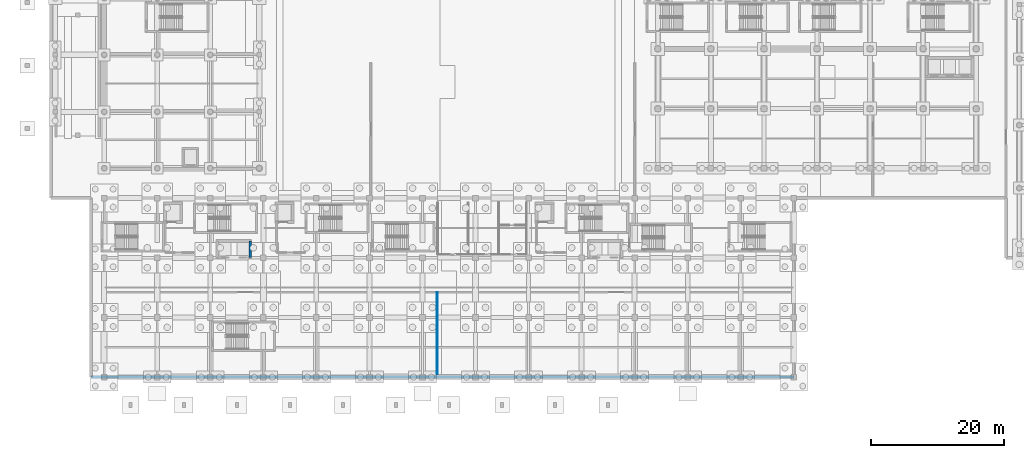
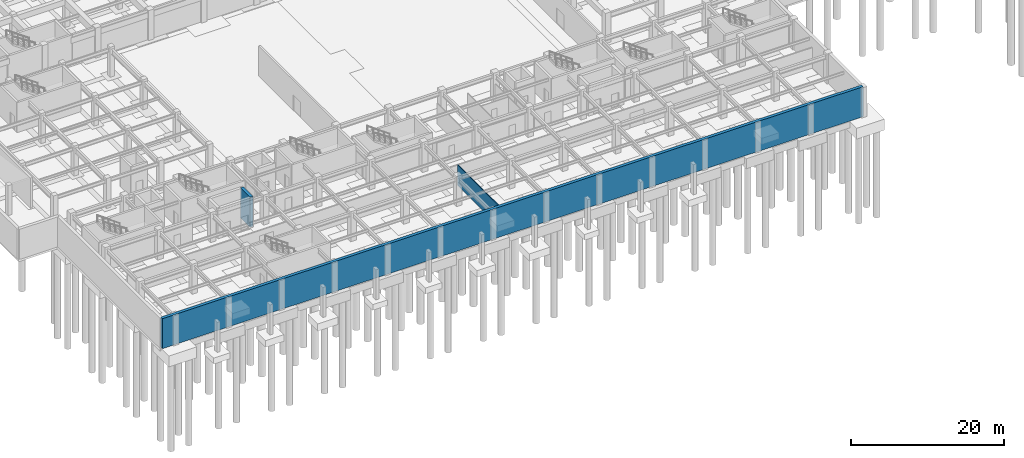
# One storey, part 26 of 48: 3 walls.
"""IFC4 building model written with IfcOpenShell, lengths in metres."""

import ifcopenshell
import ifcopenshell.guid

model = None  # the IFC model being written
_history = None  # IfcOwnerHistory: only IFC2X3 demands one
_inside = {}  # id of a spatial element -> (the spatial element, [elements in it])
_under = {}  # id of a project, library or spatial element -> (it, [spatial elements below it])
_declared = {}  # id of a project -> (the project, [libraries it declares])
_typed = {}  # id of a type object -> (the type object, [elements of that type])
_made_of = {}  # id of a material, layer set ... -> (it, [elements and type objects made of it])


def new_model(schema):
    """Start an empty IFC model of exactly this schema.

    Asked for "IFC4X3", IfcOpenShell would pick the latest addendum, in which some entities
    have other attributes; the version numbers below select the first issue.
    IFC2X3 requires an IfcOwnerHistory on every rooted entity: one is made here for all.
    """
    global model, _history
    if schema == "IFC4X3":
        model = ifcopenshell.file(schema_version=(4, 3, 0, 0))
    else:
        model = ifcopenshell.file(schema=schema)
    _inside.clear()
    _under.clear()
    _declared.clear()
    _typed.clear()
    _made_of.clear()
    _history = None
    if model.schema == "IFC2X3":
        org = make("IfcOrganization", Name="unknown")
        user = make(
            "IfcPersonAndOrganization",
            ThePerson=make("IfcPerson", FamilyName="unknown"),
            TheOrganization=org,
        )
        app = make(
            "IfcApplication",
            ApplicationDeveloper=org,
            Version="unknown",
            ApplicationFullName="unknown",
            ApplicationIdentifier="unknown",
        )
        _history = make(
            "IfcOwnerHistory",
            OwningUser=user,
            OwningApplication=app,
            ChangeAction="ADDED",
            CreationDate=0,
        )
    return model


def make(cls, **values):
    """One entity of the class cls with the attributes given. An attribute that is None is left unset."""
    return model.create_entity(
        cls, **{name: value for name, value in values.items() if value is not None}
    )


def rooted(cls, **values):
    """An entity with a GlobalId (a new one), such as an element, a storey or a relation."""
    return make(cls, GlobalId=ifcopenshell.guid.new(), OwnerHistory=_history, **values)


def si_unit(unit_type, name, prefix=None):
    """IfcSIUnit, for example si_unit("LENGTHUNIT", "METRE", prefix="MILLI")."""
    return make("IfcSIUnit", UnitType=unit_type, Prefix=prefix, Name=name)


def assignment(units):
    """IfcUnitAssignment: the units of a project."""
    return None if units is None else make("IfcUnitAssignment", Units=units)


def point(xyz):
    """IfcCartesianPoint."""
    return None if xyz is None else make("IfcCartesianPoint", Coordinates=xyz)


def direction(xyz):
    """IfcDirection."""
    return None if xyz is None else make("IfcDirection", DirectionRatios=xyz)


def frame(location, z_axis=None, x_axis=None):
    """IfcAxis2Placement3D, a coordinate frame: its origin and axes. An axis left out is left unset."""
    return make(
        "IfcAxis2Placement3D",
        Location=point(location),
        Axis=direction(z_axis),
        RefDirection=direction(x_axis),
    )


def frame_2d(location, x_axis=None):
    """IfcAxis2Placement2D, a coordinate frame in the plane: its origin and x axis."""
    return make(
        "IfcAxis2Placement2D", Location=point(location), RefDirection=direction(x_axis)
    )


def origin():
    """The frame at (0, 0, 0) with its axes left unset."""
    return frame((0.0, 0.0, 0.0))


def place(relative_to, where):
    """IfcLocalPlacement: puts the frame where relative to a parent placement (None: the world)."""
    return make(
        "IfcLocalPlacement", PlacementRelTo=relative_to, RelativePlacement=where
    )


def context(
    kind, dimensions, precision=None, world=None, true_north=None, identifier=None
):
    """IfcGeometricRepresentationContext, for example the 3D "Model" context."""
    return make(
        "IfcGeometricRepresentationContext",
        ContextIdentifier=identifier,
        ContextType=kind,
        CoordinateSpaceDimension=dimensions,
        Precision=precision,
        WorldCoordinateSystem=world,
        TrueNorth=true_north,
    )


def subcontext(parent, identifier, kind, view, scale=None):
    """IfcGeometricRepresentationSubContext, for example "Body" below "Model"."""
    return make(
        "IfcGeometricRepresentationSubContext",
        ContextIdentifier=identifier,
        ContextType=kind,
        ParentContext=parent,
        TargetScale=scale,
        TargetView=view,
    )


def project(units=None, contexts=None):
    """IfcProject with its units and contexts."""
    return rooted(
        "IfcProject",
        Name="project",
        RepresentationContexts=contexts,
        UnitsInContext=assignment(units),
    )


def spatial(cls, under=None, at=None, **own):
    """A site, building, storey or space (cls), placed at a placement, below another one or the project."""
    s = rooted(cls, ObjectPlacement=at, **own)
    if under is not None:
        _under.setdefault(under.id(), (under, []))[1].append(s)
    return s


def profile(cls, at=None, kind="AREA", **sizes):
    """A parametric profile (cls). Its sizes go by their IFC names, for example OverallWidth=200.0."""
    return make(cls, ProfileType=kind, Position=at, **sizes)


def rectangle(**sizes):
    """IfcRectangleProfileDef."""
    return profile("IfcRectangleProfileDef", **sizes)


def extrude(swept, where, along, depth):
    """IfcExtrudedAreaSolid: the profile swept, set in the frame where, extruded along a direction by depth."""
    return make(
        "IfcExtrudedAreaSolid",
        SweptArea=swept,
        Position=where,
        ExtrudedDirection=direction(along),
        Depth=depth,
    )


def shape(context_of_items, identifier, shape_type, items):
    """IfcShapeRepresentation: the items that make up one representation, for example the "Body"."""
    return make(
        "IfcShapeRepresentation",
        ContextOfItems=context_of_items,
        RepresentationIdentifier=identifier,
        RepresentationType=shape_type,
        Items=items,
    )


def material(Name=None, Category=None):
    """IfcMaterial."""
    return make("IfcMaterial", Name=Name, Category=Category)


def layer(
    of_material, thickness, ventilated=None, Name=None, Category=None, Priority=None
):
    """IfcMaterialLayer: one layer of a wall or slab, of a material (None: an air gap)."""
    return make(
        "IfcMaterialLayer",
        Material=of_material,
        LayerThickness=thickness,
        IsVentilated=ventilated,
        Name=Name,
        Category=Category,
        Priority=Priority,
    )


def layer_set(layers, Name=None):
    """IfcMaterialLayerSet."""
    return make("IfcMaterialLayerSet", MaterialLayers=layers, LayerSetName=Name)


def made_of(thing, what):
    """Note that an element or type object is made of a material, layer set ...; save() writes the relation."""
    if what is not None:
        _made_of.setdefault(what.id(), (what, []))[1].append(thing)
    return thing


def type_object(cls, material=None, **own):
    """A type object (cls), such as IfcWallType, which elements share."""
    return made_of(rooted(cls, **own), material)


def element(
    cls,
    number,
    at=None,
    inside=None,
    cuts=None,
    type_object=None,
    material=None,
    context=None,
    identifier="Body",
    shape_type=None,
    held_by="IfcProductDefinitionShape",
    body=None,
    shapes=None,
    **own,
):
    """One element of the class cls, such as IfcWall. Its Tag is "e" and its number.

    at: its placement. inside: the storey or other place that contains it. cuts: it is an
    opening in that element (IfcRelVoidsElement). A single representation is given by context,
    identifier, shape_type and body (its items); several are given by shapes. held_by: the class
    of the entity that holds the representations. save() writes the other relations.
    """
    e = rooted(cls, Tag="e%d" % number, ObjectPlacement=at, **own)
    if body is not None:
        shapes = [shape(context, identifier, shape_type, body)]
    if shapes is not None:
        e.Representation = make(held_by, Representations=shapes)
    if inside is not None:
        _inside.setdefault(inside.id(), (inside, []))[1].append(e)
    if cuts is not None:
        rooted(
            "IfcRelVoidsElement", RelatingBuildingElement=cuts, RelatedOpeningElement=e
        )
    if type_object is not None:
        _typed.setdefault(type_object.id(), (type_object, []))[1].append(e)
    return made_of(e, material)


def aggregate(whole, parts):
    """IfcRelAggregates: a whole, such as a stair, and the parts it consists of."""
    return rooted("IfcRelAggregates", RelatingObject=whole, RelatedObjects=parts)


def save(model, path):
    """Write the relations noted so far, then the file.

    IfcRelAggregates (storeys below a building ...), IfcRelContainedInSpatialStructure (elements
    in a storey), IfcRelDefinesByType, IfcRelAssociatesMaterial and IfcRelDeclares: one each for
    every whole, place, type object, material and project.
    """
    for whole, parts in _under.values():
        aggregate(whole, parts)
    for where, things in _inside.values():
        rooted(
            "IfcRelContainedInSpatialStructure",
            RelatedElements=things,
            RelatingStructure=where,
        )
    for kind, things in _typed.values():
        rooted("IfcRelDefinesByType", RelatedObjects=things, RelatingType=kind)
    for what, things in _made_of.values():
        rooted("IfcRelAssociatesMaterial", RelatedObjects=things, RelatingMaterial=what)
    for by, libraries in _declared.values():
        rooted("IfcRelDeclares", RelatingContext=by, RelatedDefinitions=libraries)
    model.write(path)


model = new_model("IFC4")

# Units and contexts
model_context = context("Model", 3, precision=1e-05, world=origin(), true_north=direction((0.0, 1.0)))
body_context = subcontext(model_context, "Body", "Model", "MODEL_VIEW")
ifc_project = project(units=[si_unit("LENGTHUNIT", "METRE"), si_unit("AREAUNIT", "SQUARE_METRE"), si_unit("VOLUMEUNIT", "CUBIC_METRE"), si_unit("PLANEANGLEUNIT", "RADIAN"), si_unit("MASSUNIT", "GRAM", prefix="KILO")], contexts=[model_context])

# Site, building, storey
site_placement = place(None, origin())
site = spatial("IfcSite", under=ifc_project, at=site_placement, CompositionType="ELEMENT")
building_placement = place(site_placement, origin())
building = spatial("IfcBuilding", under=site, at=building_placement, Name="Tlacozan Convention Centre", CompositionType="ELEMENT")
storey_placement = place(building_placement, frame((0.0, 0.0, -4.800048828125)))
storey = spatial("IfcBuildingStorey", under=building, at=storey_placement, Name="B01", CompositionType="ELEMENT", Elevation=-4.800048828125)

# Walls
ifc_material_1 = material(Name="Concrete C35/45", Category="concrete")
ifc_layer_1 = layer(ifc_material_1, 0.4599609375)
ifc_layer_set_1 = layer_set([ifc_layer_1], Name="Concrete C35/45")
wall_type_1 = type_object("IfcWallType", Name="Basement Retaining Wall 460", PredefinedType="SOLIDWALL", material=ifc_layer_set_1)
wall_1_placement = place(storey_placement, frame((6.0, 0.0, 0.0), z_axis=(0.0, 0.0, 1.0), x_axis=(1.0, 0.0, 0.0)))
element("IfcWall", 1, at=wall_1_placement, inside=storey, type_object=wall_type_1, Name="B01 Basement Retaining Wall 460 1", PredefinedType="SOLIDWALL", context=body_context, shape_type="SweptSolid", body=[
    extrude(rectangle(XDim=106.0, YDim=0.4599609375, at=frame_2d((53.0, 0.0))), origin(), (0.0, 0.0, 1.0), 4.800048828125),
])
ifc_material_2 = material(Name="Concrete C40/50", Category="concrete")
ifc_layer_2 = layer(ifc_material_2, 0.409912109375)
ifc_layer_set_2 = layer_set([ifc_layer_2], Name="Concrete C40/50")
wall_type_2 = type_object("IfcWallType", Name="Core Shear Wall RC 410", PredefinedType="SHEAR", material=ifc_layer_set_2)
wall_2_placement = place(storey_placement, frame((30.0400390625, 18.06005859375, 0.0), z_axis=(0.0, 0.0, 1.0), x_axis=(0.0, 1.0, 0.0)))
element("IfcWall", 2, at=wall_2_placement, inside=storey, type_object=wall_type_2, Name="B01 Core Shear Wall RC 410 14", PredefinedType="SHEAR", context=body_context, shape_type="SweptSolid", body=[
    extrude(rectangle(XDim=2.47998046875, YDim=0.409912109375, at=frame_2d((1.239990234375, 0.0))), origin(), (0.0, 0.0, 1.0), 4.800048828125),
])
ifc_material_3 = material(Name="Acoustic Double-Stud Partition Assembly")
ifc_layer_3 = layer(ifc_material_3, 0.139892578125)
ifc_layer_set_3 = layer_set([ifc_layer_3], Name="Acoustic Double-Stud Partition Assembly")
wall_type_3 = type_object("IfcWallType", Name="Suite Partition Wall 140", PredefinedType="PARTITIONING", material=ifc_layer_set_3)
wall_3_placement = place(storey_placement, frame((58.199951171875, 0.39990234375, 0.0), z_axis=(0.0, 0.0, 1.0), x_axis=(0.0, 1.0, 0.0)))
element("IfcWall", 3, at=wall_3_placement, inside=storey, type_object=wall_type_3, Name="B01 Suite Partition Wall 140 562", PredefinedType="PARTITIONING", context=body_context, shape_type="SweptSolid", body=[
    extrude(rectangle(XDim=12.400146484375, YDim=0.139892578125, at=frame_2d((6.2001953125, 0.0))), origin(), (0.0, 0.0, 1.0), 3.25),
])

save(model, "model.ifc")
